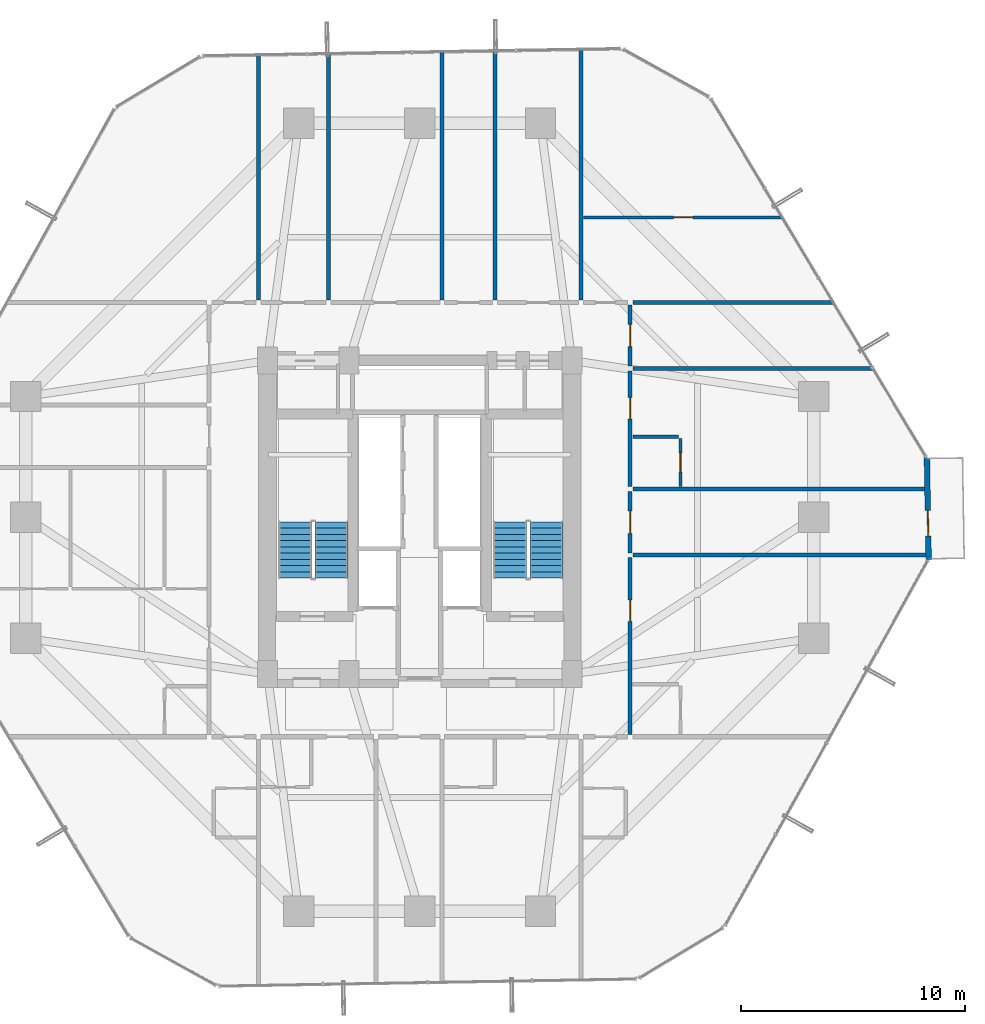
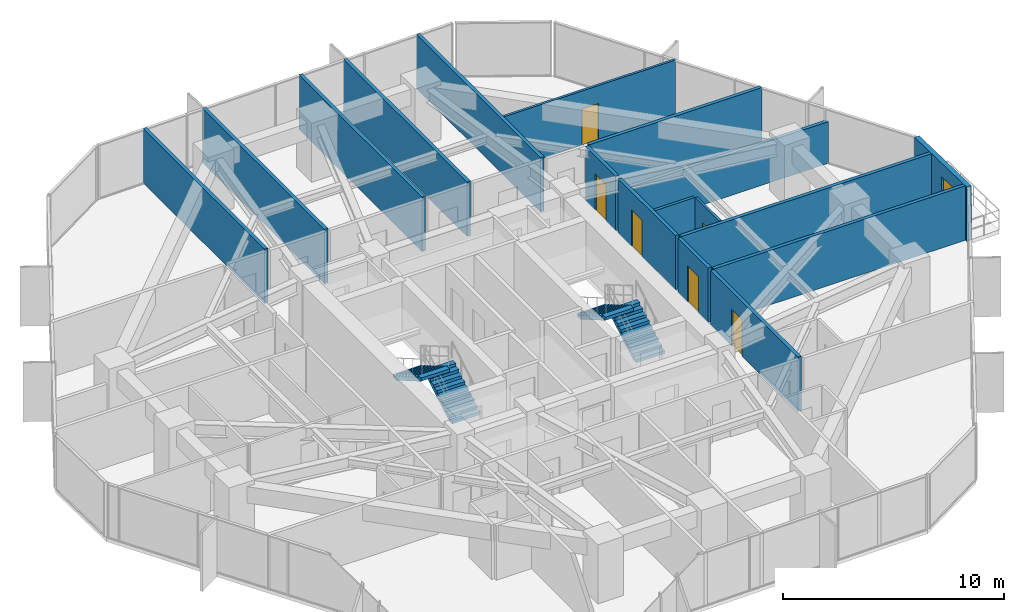
# One storey, part 37 of 39: 17 walls, 7 doors, 4 stair flights, 7 openings, 2 elements without a shape of their own.
"""IFC4 building model written with IfcOpenShell, lengths in metres."""

from ifc_helpers import new_model, si_unit, direction, frame, frame_2d, origin, place, context, subcontext, project, spatial, polyline, rectangle, outline, extrude, source, transform, mapped, material, layer, layer_set, type_object, element, fill, aggregate, save


model = new_model("IFC4")

# Units and contexts
model_context = context("Model", 3, precision=1e-05, world=origin(), true_north=direction((0.0, 1.0)))
body_context = subcontext(model_context, "Body", "Model", "MODEL_VIEW")
ifc_project = project(units=[si_unit("LENGTHUNIT", "METRE"), si_unit("AREAUNIT", "SQUARE_METRE"), si_unit("VOLUMEUNIT", "CUBIC_METRE"), si_unit("PLANEANGLEUNIT", "RADIAN"), si_unit("MASSUNIT", "GRAM", prefix="KILO")], contexts=[model_context])

# Site, building, storey
site_placement = place(None, origin())
site = spatial("IfcSite", under=ifc_project, at=site_placement, CompositionType="ELEMENT")
building_placement = place(site_placement, origin())
building = spatial("IfcBuilding", under=site, at=building_placement, Name="Veraguas Prism Commons", CompositionType="ELEMENT")
storey_placement = place(building_placement, frame((0.0, 0.0, 27.300048828125)))
storey = spatial("IfcBuildingStorey", under=building, at=storey_placement, Name="L06", CompositionType="ELEMENT", Elevation=27.300048828125)

# Walls
ifc_material_1 = material(Name="Autoclaved aerated masonry block 10 MPa", Category="masonry")
ifc_layer_1 = layer(ifc_material_1, 0.179931640625, Name="Corridor and Inter-Tenancy Partition 180", Category="masonry")
ifc_layer_set_1 = layer_set([ifc_layer_1], Name="Autoclaved aerated masonry block 10 MPa")
wall_type_1 = type_object("IfcWallType", Name="Corridor and Inter-Tenancy Partition 180", PredefinedType="PARTITIONING", material=ifc_layer_set_1)
wall_1_placement = place(storey_placement, frame((16.800048828125, 33.719970703125, 0.0), z_axis=(0.0, 0.0, 1.0), x_axis=(0.0, 1.0, 0.0)))
element("IfcWall", 1, at=wall_1_placement, inside=storey, type_object=wall_type_1, Name="WL-L06-PT012", PredefinedType="PARTITIONING", context=body_context, shape_type="SweptSolid", body=[
    extrude(rectangle(XDim=10.974609375, YDim=0.179931640625, at=frame_2d((5.4873046875, 0.0))), origin(), (0.0, 0.0, 1.0), 3.0),
])
wall_2_placement = place(storey_placement, frame((31.199951171875, 33.719970703125, 0.0), z_axis=(0.0, 0.0, 1.0), x_axis=(0.0, 1.0, 0.0)))
element("IfcWall", 2, at=wall_2_placement, inside=storey, type_object=wall_type_1, Name="WL-L06-PT013", PredefinedType="PARTITIONING", context=body_context, shape_type="SweptSolid", body=[
    extrude(rectangle(XDim=11.220947265625, YDim=0.179931640625, at=frame_2d((5.6103515625, 0.0))), origin(), (0.0, 0.0, 1.0), 3.0),
])
wall_3_placement = place(storey_placement, frame((19.9189453125, 33.719970703125, 0.0), z_axis=(0.0, 0.0, 1.0), x_axis=(0.0, 1.0, 0.0)))
element("IfcWall", 3, at=wall_3_placement, inside=storey, type_object=wall_type_1, Name="WL-L06-PT016", PredefinedType="PARTITIONING", context=body_context, shape_type="SweptSolid", body=[
    extrude(rectangle(XDim=11.02783203125, YDim=0.179931640625, at=frame_2d((5.513916015625, 0.0))), origin(), (0.0, 0.0, 1.0), 3.0),
])
wall_4_placement = place(storey_placement, frame((25.008056640625, 33.719970703125, 0.0), z_axis=(0.0, 0.0, 1.0), x_axis=(0.0, 1.0, 0.0)))
element("IfcWall", 4, at=wall_4_placement, inside=storey, type_object=wall_type_1, Name="WL-L06-PT017", PredefinedType="PARTITIONING", context=body_context, shape_type="SweptSolid", body=[
    extrude(rectangle(XDim=11.114990234375, YDim=0.179931640625, at=frame_2d((5.5576171875, 0.0))), origin(), (0.0, 0.0, 1.0), 3.0),
])
wall_5_placement = place(storey_placement, frame((27.361083984375, 33.719970703125, 0.0), z_axis=(0.0, 0.0, 1.0), x_axis=(0.0, 1.0, 0.0)))
element("IfcWall", 5, at=wall_5_placement, inside=storey, type_object=wall_type_1, Name="WL-L06-PT020", PredefinedType="PARTITIONING", context=body_context, shape_type="SweptSolid", body=[
    extrude(rectangle(XDim=11.1552734375, YDim=0.179931640625, at=frame_2d((5.57763671875, 0.0))), origin(), (0.0, 0.0, 1.0), 3.0),
])
wall_6_placement = place(storey_placement, frame((33.52001953125, 33.60009765625, 0.0), z_axis=(0.0, 0.0, 1.0), x_axis=(1.0, 0.0, 0.0)))
element("IfcWall", 6, at=wall_6_placement, inside=storey, type_object=wall_type_1, Name="WL-L06-PT036", PredefinedType="PARTITIONING", context=body_context, shape_type="SweptSolid", body=[
    extrude(rectangle(XDim=8.994384765625, YDim=0.179931640625, at=frame_2d((4.4970703125, 0.0))), origin(), (0.0, 0.0, 1.0), 3.0),
])

# Wall, opening, door
wall_7_placement = place(storey_placement, frame((33.39990234375, 22.41796875, 0.0), z_axis=(0.0, 0.0, 1.0), x_axis=(0.0, 1.0, 0.0)))
wall_7 = element("IfcWall", 7, at=wall_7_placement, inside=storey, type_object=wall_type_1, Name="WL-L06-PT037", PredefinedType="PARTITIONING", context=body_context, shape_type="SweptSolid", body=[
    extrude(rectangle(XDim=2.72998046875, YDim=0.179931640625, at=frame_2d((1.364990234375, 0.0))), origin(), (0.0, 0.0, 1.0), 3.0),
])
opening_1_placement = place(wall_7_placement, frame((0.864990234375, 0.0, 0.0)))
opening_1 = element("IfcOpeningElement", 8, at=opening_1_placement, cuts=wall_7, Name="Opening DR-13", PredefinedType="OPENING", context=body_context, shape_type="SweptSolid", body=[
    extrude(rectangle(XDim=1.0, YDim=2.010009765625, at=frame_2d((0.5, 1.0048828125))), frame((0.0, 0.099853515625, 0.0), z_axis=(0.0, -1.0, 0.0), x_axis=(1.0, 0.0, 0.0)), (0.0, 0.0, 1.0), 0.199951171875),
])
ifc_material_2 = material(Name="Steel fire-rated door assembly", Category="steel")
door_type_1 = type_object("IfcDoorType", Name="Core Accessible WC and Clinic Fire Door 1000x2010", OperationType="NOTDEFINED", PredefinedType="DOOR", material=ifc_material_2)
shared_shape_1 = source(origin(), body_context, "Body", "SweptSolid", [
    extrude(rectangle(XDim=1.0, YDim=2.010009765625, at=frame_2d((0.5, 1.0048828125))), frame((0.0, 0.02490234375, 0.0), z_axis=(0.0, -1.0, 0.0), x_axis=(1.0, 0.0, 0.0)), (0.0, 0.0, 1.0), 0.050048828125),
])
door_1_placement = place(opening_1_placement, origin())
door_1 = element("IfcDoor", 9, at=door_1_placement, inside=storey, type_object=door_type_1, Name="Quiet Study E Door", OperationType="SINGLE_SWING_LEFT", OverallHeight=2.010009765625, OverallWidth=1.0, PredefinedType="DOOR", context=body_context, shape_type="MappedRepresentation", body=[
    mapped(shared_shape_1, transform((0.0, 0.0, 0.0), scale=1.0)),
])
fill(opening_1, door_1)

# Wall
wall_8_placement = place(storey_placement, frame((33.52001953125, 22.30810546875, 0.0), z_axis=(0.0, 0.0, 1.0), x_axis=(1.0, 0.0, 0.0)))
element("IfcWall", 10, at=wall_8_placement, inside=storey, type_object=wall_type_1, Name="WL-L06-PT038", PredefinedType="PARTITIONING", context=body_context, shape_type="SweptSolid", body=[
    extrude(rectangle(XDim=13.2431640625, YDim=0.179931640625, at=frame_2d((6.62158203125, 0.0))), origin(), (0.0, 0.0, 1.0), 3.0),
])

# Wall, opening, door
wall_9_placement = place(storey_placement, frame((33.39990234375, 14.31005859375, 0.0), z_axis=(0.0, 0.0, 1.0), x_axis=(0.0, 1.0, 0.0)))
wall_9 = element("IfcWall", 11, at=wall_9_placement, inside=storey, type_object=wall_type_1, Name="WL-L06-PT039", PredefinedType="PARTITIONING", context=body_context, shape_type="SweptSolid", body=[
    extrude(rectangle(XDim=7.887939453125, YDim=0.179931640625, at=frame_2d((3.94384765625, 0.0))), origin(), (0.0, 0.0, 1.0), 3.0),
])
opening_2_placement = place(wall_9_placement, frame((5.0380859375, 0.0, 0.0)))
opening_2 = element("IfcOpeningElement", 12, at=opening_2_placement, cuts=wall_9, Name="Opening DR-01", PredefinedType="OPENING", context=body_context, shape_type="SweptSolid", body=[
    extrude(rectangle(XDim=0.949951171875, YDim=2.02001953125, at=frame_2d((0.47509765625, 1.010009765625))), frame((0.0, 0.099853515625, 0.0), z_axis=(0.0, -1.0, 0.0), x_axis=(1.0, 0.0, 0.0)), (0.0, 0.0, 1.0), 0.199951171875),
])
ifc_material_3 = material(Name="Anodised aluminium EN AW-6063 T6", Category="aluminium")
door_type_2 = type_object("IfcDoorType", Name="Apartment Entrance Fire Door 950x2020", OperationType="NOTDEFINED", PredefinedType="DOOR", material=ifc_material_3)
shared_shape_2 = source(origin(), body_context, "Body", "SweptSolid", [
    extrude(rectangle(XDim=0.949951171875, YDim=2.02001953125, at=frame_2d((0.47509765625, 1.010009765625))), frame((0.0, 0.02490234375, 0.0), z_axis=(0.0, -1.0, 0.0), x_axis=(1.0, 0.0, 0.0)), (0.0, 0.0, 1.0), 0.050048828125),
])
door_2_placement = place(opening_2_placement, origin())
door_2 = element("IfcDoor", 13, at=door_2_placement, inside=storey, type_object=door_type_2, Name="Studio 06D Entrance Door", OperationType="SINGLE_SWING_RIGHT", OverallHeight=2.02001953125, OverallWidth=0.949951171875, PredefinedType="DOOR", context=body_context, shape_type="MappedRepresentation", body=[
    mapped(shared_shape_2, transform((0.0, 0.0, 0.0), scale=1.0)),
])
fill(opening_2, door_2)

# Wall
wall_10_placement = place(storey_placement, frame((33.52001953125, 25.258056640625, 0.0), z_axis=(0.0, 0.0, 1.0), x_axis=(1.0, 0.0, 0.0)))
element("IfcWall", 14, at=wall_10_placement, inside=storey, type_object=wall_type_1, Name="WL-L06-PT042", PredefinedType="PARTITIONING", context=body_context, shape_type="SweptSolid", body=[
    extrude(rectangle(XDim=13.19287109375, YDim=0.179931640625, at=frame_2d((6.596435546875, 0.0))), origin(), (0.0, 0.0, 1.0), 3.0),
])

# Wall, opening, door
wall_11_placement = place(storey_placement, frame((33.39990234375, 30.760009765625, 0.0), z_axis=(0.0, 0.0, 1.0), x_axis=(0.0, 1.0, 0.0)))
wall_11 = element("IfcWall", 15, at=wall_11_placement, inside=storey, type_object=wall_type_1, Name="WL-L06-PT043", PredefinedType="PARTITIONING", context=body_context, shape_type="SweptSolid", body=[
    extrude(rectangle(XDim=2.72998046875, YDim=0.179931640625, at=frame_2d((1.364990234375, 0.0))), origin(), (0.0, 0.0, 1.0), 3.0),
])
opening_3_placement = place(wall_11_placement, frame((0.864990234375, 0.0, 0.0)))
opening_3 = element("IfcOpeningElement", 16, at=opening_3_placement, cuts=wall_11, Name="Opening DR-13", PredefinedType="OPENING", context=body_context, shape_type="SweptSolid", body=[
    extrude(rectangle(XDim=1.0, YDim=2.010009765625, at=frame_2d((0.5, 1.0048828125))), frame((0.0, 0.099853515625, 0.0), z_axis=(0.0, -1.0, 0.0), x_axis=(1.0, 0.0, 0.0)), (0.0, 0.0, 1.0), 0.199951171875),
])
door_3_placement = place(opening_3_placement, origin())
door_3 = element("IfcDoor", 17, at=door_3_placement, inside=storey, type_object=door_type_1, Name="Quiet Study E Door", OperationType="SINGLE_SWING_RIGHT", OverallHeight=2.010009765625, OverallWidth=1.0, PredefinedType="DOOR", context=body_context, shape_type="MappedRepresentation", body=[
    mapped(shared_shape_1, transform((0.0, 0.0, 0.0), scale=1.0)),
])
fill(opening_3, door_3)

# Wall
wall_12_placement = place(storey_placement, frame((33.52001953125, 30.64990234375, 0.0), z_axis=(0.0, 0.0, 1.0), x_axis=(1.0, 0.0, 0.0)))
element("IfcWall", 18, at=wall_12_placement, inside=storey, type_object=wall_type_1, Name="WL-L06-PT044", PredefinedType="PARTITIONING", context=body_context, shape_type="SweptSolid", body=[
    extrude(rectangle(XDim=10.765380859375, YDim=0.179931640625, at=frame_2d((5.3828125, 0.0))), origin(), (0.0, 0.0, 1.0), 2.299072265625),
])

# Wall, opening, door
wall_13_placement = place(storey_placement, frame((33.39990234375, 25.367919921875, 0.0), z_axis=(0.0, 0.0, 1.0), x_axis=(0.0, 1.0, 0.0)))
wall_13 = element("IfcWall", 19, at=wall_13_placement, inside=storey, type_object=wall_type_1, Name="WL-L06-PT045", PredefinedType="PARTITIONING", context=body_context, shape_type="SweptSolid", body=[
    extrude(rectangle(XDim=5.172119140625, YDim=0.179931640625, at=frame_2d((2.5859375, 0.0))), origin(), (0.0, 0.0, 1.0), 3.0),
])
opening_4_placement = place(wall_13_placement, frame((3.0283203125, 0.0, 0.0)))
opening_4 = element("IfcOpeningElement", 20, at=opening_4_placement, cuts=wall_13, Name="Opening DR-01", PredefinedType="OPENING", context=body_context, shape_type="SweptSolid", body=[
    extrude(rectangle(XDim=0.949951171875, YDim=2.02001953125, at=frame_2d((0.47509765625, 1.010009765625))), frame((0.0, 0.099853515625, 0.0), z_axis=(0.0, -1.0, 0.0), x_axis=(1.0, 0.0, 0.0)), (0.0, 0.0, 1.0), 0.199951171875),
])
door_4_placement = place(opening_4_placement, origin())
door_4 = element("IfcDoor", 21, at=door_4_placement, inside=storey, type_object=door_type_2, Name="Studio 06E Entrance Door", OperationType="SINGLE_SWING_LEFT", OverallHeight=2.02001953125, OverallWidth=0.949951171875, PredefinedType="DOOR", context=body_context, shape_type="MappedRepresentation", body=[
    mapped(shared_shape_2, transform((0.0, 0.0, 0.0), scale=1.0)),
])
fill(opening_4, door_4)

ifc_material_4 = material(Name="Precast concrete C40/50", Category="concrete")
ifc_layer_2 = layer(ifc_material_4, 0.25, Name="External Loggia and Portal Wall 250", Category="concrete")
ifc_layer_set_2 = layer_set([ifc_layer_2], Name="Precast concrete C40/50")
wall_type_2 = type_object("IfcWallType", Name="External Loggia and Portal Wall 250", PredefinedType="SOLIDWALL", material=ifc_layer_set_2)
wall_14_placement = place(storey_placement, frame((46.73681640625, 22.0986328125, 0.0), z_axis=(0.0, 0.0, 1.0), x_axis=(-0.017111105389, 0.999853594319, 0.0)))
wall_14 = element("IfcWall", 22, at=wall_14_placement, inside=storey, type_object=wall_type_2, Name="Corner Loggia Wall L06-C1", PredefinedType="SOLIDWALL", context=body_context, shape_type="SweptSolid", body=[
    extrude(rectangle(XDim=4.580078125, YDim=0.25, at=frame_2d((2.2900390625, 0.0))), origin(), (0.0, 0.0, 1.0), 3.0),
])
opening_5_placement = place(wall_14_placement, frame((1.06005859375, 0.0, 0.0)))
opening_5 = element("IfcOpeningElement", 23, at=opening_5_placement, cuts=wall_14, Name="Opening DR-10", PredefinedType="OPENING", context=body_context, shape_type="SweptSolid", body=[
    extrude(rectangle(XDim=1.14990234375, YDim=2.25, at=frame_2d((0.574951171875, 1.125))), frame((0.0, 0.135009765625, 0.0), z_axis=(0.0, -1.0, 0.0), x_axis=(1.0, 0.0, 0.0)), (0.0, 0.0, 1.0), 0.27001953125),
])
door_type_3 = type_object("IfcDoorType", Name="Glazed Loggia and Terrace Door 1150x2250", OperationType="NOTDEFINED", PredefinedType="DOOR", material=ifc_material_3)
shared_shape_3 = source(origin(), body_context, "Body", "SweptSolid", [
    extrude(rectangle(XDim=1.14990234375, YDim=2.25, at=frame_2d((0.574951171875, 1.125))), frame((0.0, 0.02490234375, 0.0), z_axis=(0.0, -1.0, 0.0), x_axis=(1.0, 0.0, 0.0)), (0.0, 0.0, 1.0), 0.050048828125),
])
door_5_placement = place(opening_5_placement, frame((1.14990234375, 0.0, 0.0), z_axis=(0.0, 0.0, 1.0), x_axis=(-1.0, 0.0, 0.0)))
door_5 = element("IfcDoor", 24, at=door_5_placement, inside=storey, type_object=door_type_3, Name="Recessed Loggia Door L06-C1", OperationType="SINGLE_SWING_RIGHT", OverallHeight=2.25, OverallWidth=1.14990234375, PredefinedType="DOOR", context=body_context, shape_type="MappedRepresentation", body=[
    mapped(shared_shape_3, transform((0.0, 0.0, 0.0), scale=1.0)),
])
fill(opening_5, door_5)

ifc_material_5 = material(Name="Lightweight acoustic gypsum board")
ifc_layer_3 = layer(ifc_material_5, 0.125, Name="Internal Apartment Room Partition 125")
ifc_layer_set_3 = layer_set([ifc_layer_3], Name="Lightweight acoustic gypsum board")
wall_type_3 = type_object("IfcWallType", Name="Internal Apartment Room Partition 125", PredefinedType="PARTITIONING", material=ifc_layer_set_3)
wall_15_placement = place(storey_placement, frame((35.64990234375, 25.3779296875, 0.0), z_axis=(0.0, 0.0, 1.0), x_axis=(0.0, 1.0, 0.0)))
wall_15 = element("IfcWall", 25, at=wall_15_placement, inside=storey, type_object=wall_type_3, Name="WL-L06-PT047", PredefinedType="PARTITIONING", context=body_context, shape_type="SweptSolid", body=[
    extrude(rectangle(XDim=2.150146484375, YDim=0.125, at=frame_2d((1.0751953125, 0.0))), origin(), (0.0, 0.0, 1.0), 3.0),
])
opening_6_placement = place(wall_15_placement, frame((0.64501953125, 0.0, 0.0)))
opening_6 = element("IfcOpeningElement", 26, at=opening_6_placement, cuts=wall_15, Name="Opening DR-03", PredefinedType="OPENING", context=body_context, shape_type="SweptSolid", body=[
    extrude(rectangle(XDim=0.860107421875, YDim=2.010009765625, at=frame_2d((0.43017578125, 1.0048828125))), frame((0.0, 0.072509765625, 0.0), z_axis=(0.0, -1.0, 0.0), x_axis=(1.0, 0.0, 0.0)), (0.0, 0.0, 1.0), 0.14501953125),
])
ifc_material_6 = material(Name="Timber moisture-resistant leaf", Category="wood")
door_type_4 = type_object("IfcDoorType", Name="Internal Bathroom Door 860x2010", OperationType="NOTDEFINED", PredefinedType="DOOR", material=ifc_material_6)
shared_shape_4 = source(origin(), body_context, "Body", "SweptSolid", [
    extrude(rectangle(XDim=0.860107421875, YDim=2.010009765625, at=frame_2d((0.43017578125, 1.0048828125))), frame((0.0, 0.02490234375, 0.0), z_axis=(0.0, -1.0, 0.0), x_axis=(1.0, 0.0, 0.0)), (0.0, 0.0, 1.0), 0.050048828125),
])
door_6_placement = place(opening_6_placement, origin())
door_6 = element("IfcDoor", 27, at=door_6_placement, inside=storey, type_object=door_type_4, Name="Studio 06E Bathroom Door", OperationType="SINGLE_SWING_RIGHT", OverallHeight=2.010009765625, OverallWidth=0.860107421875, PredefinedType="DOOR", context=body_context, shape_type="MappedRepresentation", body=[
    mapped(shared_shape_4, transform((0.0, 0.0, 0.0), scale=1.0)),
])
fill(opening_6, door_6)

wall_16_placement = place(storey_placement, frame((31.320068359375, 37.39990234375, 0.0), z_axis=(0.0, 0.0, 1.0), x_axis=(1.0, 0.0, 0.0)))
wall_16 = element("IfcWall", 28, at=wall_16_placement, inside=storey, type_object=wall_type_3, Name="WL-L06-PT058", PredefinedType="PARTITIONING", context=body_context, shape_type="SweptSolid", body=[
    extrude(rectangle(XDim=8.912841796875, YDim=0.125, at=frame_2d((4.45654296875, 0.0))), origin(), (0.0, 0.0, 1.0), 3.0),
])
opening_7_placement = place(wall_16_placement, frame((4.0263671875, 0.0, 0.0)))
opening_7 = element("IfcOpeningElement", 29, at=opening_7_placement, cuts=wall_16, Name="Opening DR-03", PredefinedType="OPENING", context=body_context, shape_type="SweptSolid", body=[
    extrude(rectangle(XDim=0.860107421875, YDim=2.010009765625, at=frame_2d((0.43017578125, 1.0048828125))), frame((0.0, 0.072509765625, 0.0), z_axis=(0.0, -1.0, 0.0), x_axis=(1.0, 0.0, 0.0)), (0.0, 0.0, 1.0), 0.14501953125),
])
door_7_placement = place(opening_7_placement, origin())
door_7 = element("IfcDoor", 30, at=door_7_placement, inside=storey, type_object=door_type_4, Name="Corner Store NE Door", OperationType="SINGLE_SWING_LEFT", OverallHeight=2.010009765625, OverallWidth=0.860107421875, PredefinedType="DOOR", context=body_context, shape_type="MappedRepresentation", body=[
    mapped(shared_shape_4, transform((0.0, 0.0, 0.0), scale=1.0)),
])
fill(opening_7, door_7)

# Wall
ifc_layer_4 = layer(ifc_material_5, 0.14990234375, Name="Wet Room and Clinic Acoustic Partition 150")
ifc_layer_set_4 = layer_set([ifc_layer_4], Name="Lightweight acoustic gypsum board")
wall_type_4 = type_object("IfcWallType", Name="Wet Room and Clinic Acoustic Partition 150", PredefinedType="PARTITIONING", material=ifc_layer_set_4)
wall_17_placement = place(storey_placement, frame((33.52001953125, 27.60791015625, 0.0), z_axis=(0.0, 0.0, 1.0), x_axis=(1.0, 0.0, 0.0)))
element("IfcWall", 31, at=wall_17_placement, inside=storey, type_object=wall_type_4, Name="WL-L06-PT046", PredefinedType="PARTITIONING", context=body_context, shape_type="SweptSolid", body=[
    extrude(rectangle(XDim=2.050048828125, YDim=0.14990234375, at=frame_2d((1.02490234375, 0.0))), origin(), (0.0, 0.0, 1.0), 3.0),
])

# Stair, stair flights
ifc_material_7 = material(Name="Precast concrete C45/55", Category="concrete")
stair_type = type_object("IfcStairType", Name="Dogleg Core Stair 1480W 20R 05", PredefinedType="HALF_TURN_STAIR", material=ifc_material_7)
stair_1_placement = place(storey_placement, origin())
stair_1 = element("IfcStair", 32, at=stair_1_placement, inside=storey, type_object=stair_type, Name="Protected Exit Stair ST-01 L06", PredefinedType="HALF_TURN_STAIR")
stair_flight_type = type_object("IfcStairFlightType", Name="Precast Stair Flight 1480W 10R 05", PredefinedType="STRAIGHT", material=ifc_material_7)
stair_flight_1_placement = place(storey_placement, frame((20.06005859375, 21.280029296875, 0.0), z_axis=(0.0, 0.0, 1.0), x_axis=(0.0, 1.0, 0.0)))
stair_flight_1 = element("IfcStairFlight", 33, at=stair_flight_1_placement, type_object=stair_flight_type, Name="ST-05 Flight 1", NumberOfRisers=10, NumberOfTreads=9, PredefinedType="STRAIGHT", RiserHeight=0.1625, TreadLength=0.28, context=body_context, shape_type="SweptSolid", body=[
    extrude(outline(polyline([(0.0, 0.0), (0.0, 0.16259765625), (0.280029296875, 0.16259765625), (0.280029296875, 0.324951171875), (0.56005859375, 0.324951171875), (0.56005859375, 0.487548828125), (0.840087890625, 0.487548828125), (0.840087890625, 0.64990234375), (1.1201171875, 0.64990234375), (1.1201171875, 0.8125), (1.39990234375, 0.8125), (1.39990234375, 0.97509765625), (1.679931640625, 0.97509765625), (1.679931640625, 1.137451171875), (1.9599609375, 1.137451171875), (1.9599609375, 1.300048828125), (2.239990234375, 1.300048828125), (2.239990234375, 1.46240234375), (2.52001953125, 1.46240234375), (2.52001953125, 1.625), (2.52001953125, 1.2890625), (0.298583984375, 0.0), (0.0, 0.0)])), frame((0.0, 0.739990234375, 0.0), z_axis=(0.0, -1.0, 0.0), x_axis=(1.0, 0.0, 0.0)), (0.0, 0.0, 1.0), 1.47998046875),
])
stair_flight_2_placement = place(storey_placement, frame((18.429931640625, 23.800048828125, 1.625), z_axis=(0.0, 0.0, 1.0), x_axis=(0.0, -1.0, 0.0)))
stair_flight_2 = element("IfcStairFlight", 34, at=stair_flight_2_placement, type_object=stair_flight_type, Name="ST-05 Flight 2", NumberOfRisers=10, NumberOfTreads=9, PredefinedType="STRAIGHT", RiserHeight=0.1625, TreadLength=0.28, context=body_context, shape_type="SweptSolid", body=[
    extrude(outline(polyline([(0.0, 0.0), (0.0, 0.16259765625), (0.280029296875, 0.16259765625), (0.280029296875, 0.324951171875), (0.56005859375, 0.324951171875), (0.56005859375, 0.487548828125), (0.840087890625, 0.487548828125), (0.840087890625, 0.64990234375), (1.1201171875, 0.64990234375), (1.1201171875, 0.8125), (1.39990234375, 0.8125), (1.39990234375, 0.97509765625), (1.679931640625, 0.97509765625), (1.679931640625, 1.137451171875), (1.9599609375, 1.137451171875), (1.9599609375, 1.300048828125), (2.239990234375, 1.300048828125), (2.239990234375, 1.46240234375), (2.52001953125, 1.46240234375), (2.52001953125, 1.625), (2.52001953125, 1.2890625), (0.298583984375, 0.0), (0.0, 0.0)])), frame((0.0, 0.739990234375, 0.0), z_axis=(0.0, -1.0, 0.0), x_axis=(1.0, 0.0, 0.0)), (0.0, 0.0, 1.0), 1.47998046875),
])
aggregate(stair_1, [stair_flight_1, stair_flight_2])

stair_2_placement = place(storey_placement, origin())
stair_2 = element("IfcStair", 35, at=stair_2_placement, inside=storey, type_object=stair_type, Name="Protected Exit Stair ST-02 L06", PredefinedType="HALF_TURN_STAIR")
stair_flight_3_placement = place(storey_placement, frame((29.659912109375, 21.280029296875, 0.0), z_axis=(0.0, 0.0, 1.0), x_axis=(0.0, 1.0, 0.0)))
stair_flight_3 = element("IfcStairFlight", 36, at=stair_flight_3_placement, type_object=stair_flight_type, Name="ST-05 Flight 1", NumberOfRisers=10, NumberOfTreads=9, PredefinedType="STRAIGHT", RiserHeight=0.1625, TreadLength=0.28, context=body_context, shape_type="SweptSolid", body=[
    extrude(outline(polyline([(0.0, 0.0), (0.0, 0.16259765625), (0.280029296875, 0.16259765625), (0.280029296875, 0.324951171875), (0.56005859375, 0.324951171875), (0.56005859375, 0.487548828125), (0.840087890625, 0.487548828125), (0.840087890625, 0.64990234375), (1.1201171875, 0.64990234375), (1.1201171875, 0.8125), (1.39990234375, 0.8125), (1.39990234375, 0.97509765625), (1.679931640625, 0.97509765625), (1.679931640625, 1.137451171875), (1.9599609375, 1.137451171875), (1.9599609375, 1.300048828125), (2.239990234375, 1.300048828125), (2.239990234375, 1.46240234375), (2.52001953125, 1.46240234375), (2.52001953125, 1.625), (2.52001953125, 1.2890625), (0.298583984375, 0.0), (0.0, 0.0)])), frame((0.0, 0.739990234375, 0.0), z_axis=(0.0, -1.0, 0.0), x_axis=(1.0, 0.0, 0.0)), (0.0, 0.0, 1.0), 1.47998046875),
])
stair_flight_4_placement = place(storey_placement, frame((28.030029296875, 23.800048828125, 1.625), z_axis=(0.0, 0.0, 1.0), x_axis=(0.0, -1.0, 0.0)))
stair_flight_4 = element("IfcStairFlight", 37, at=stair_flight_4_placement, type_object=stair_flight_type, Name="ST-05 Flight 2", NumberOfRisers=10, NumberOfTreads=9, PredefinedType="STRAIGHT", RiserHeight=0.1625, TreadLength=0.28, context=body_context, shape_type="SweptSolid", body=[
    extrude(outline(polyline([(0.0, 0.0), (0.0, 0.16259765625), (0.280029296875, 0.16259765625), (0.280029296875, 0.324951171875), (0.56005859375, 0.324951171875), (0.56005859375, 0.487548828125), (0.840087890625, 0.487548828125), (0.840087890625, 0.64990234375), (1.1201171875, 0.64990234375), (1.1201171875, 0.8125), (1.39990234375, 0.8125), (1.39990234375, 0.97509765625), (1.679931640625, 0.97509765625), (1.679931640625, 1.137451171875), (1.9599609375, 1.137451171875), (1.9599609375, 1.300048828125), (2.239990234375, 1.300048828125), (2.239990234375, 1.46240234375), (2.52001953125, 1.46240234375), (2.52001953125, 1.625), (2.52001953125, 1.2890625), (0.298583984375, 0.0), (0.0, 0.0)])), frame((0.0, 0.739990234375, 0.0), z_axis=(0.0, -1.0, 0.0), x_axis=(1.0, 0.0, 0.0)), (0.0, 0.0, 1.0), 1.47998046875),
])
aggregate(stair_2, [stair_flight_3, stair_flight_4])

save(model, "model.ifc")
